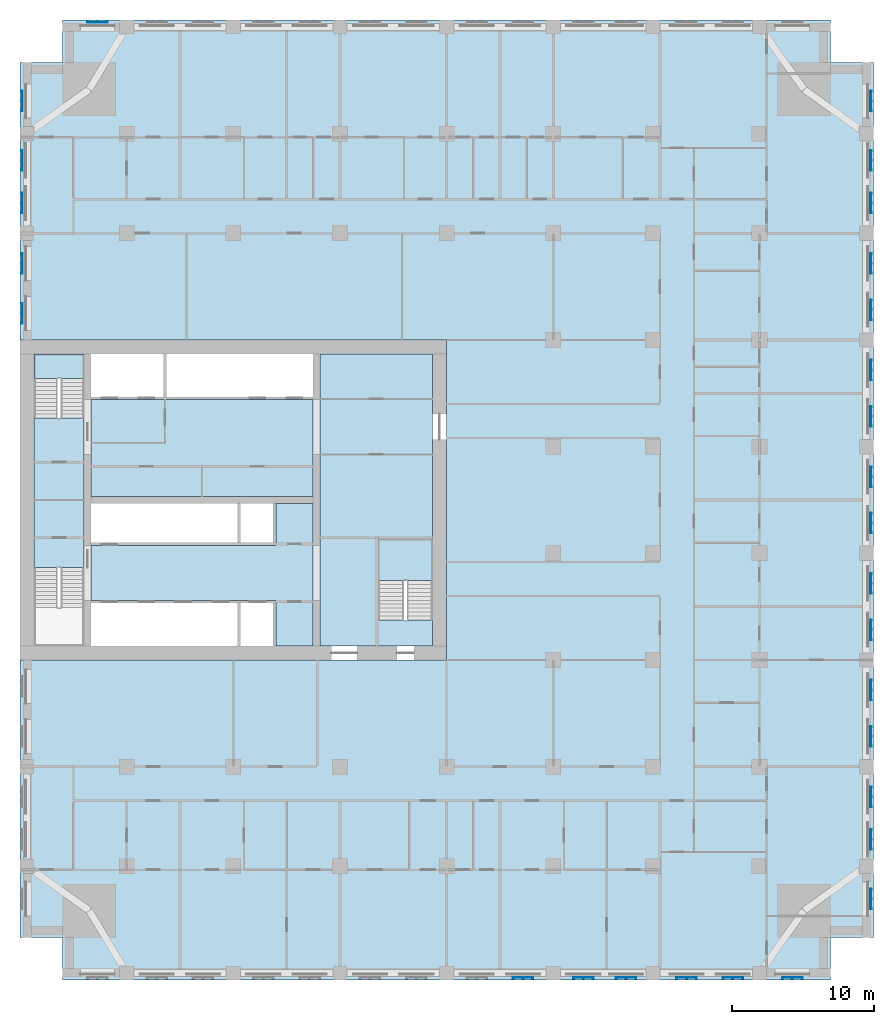
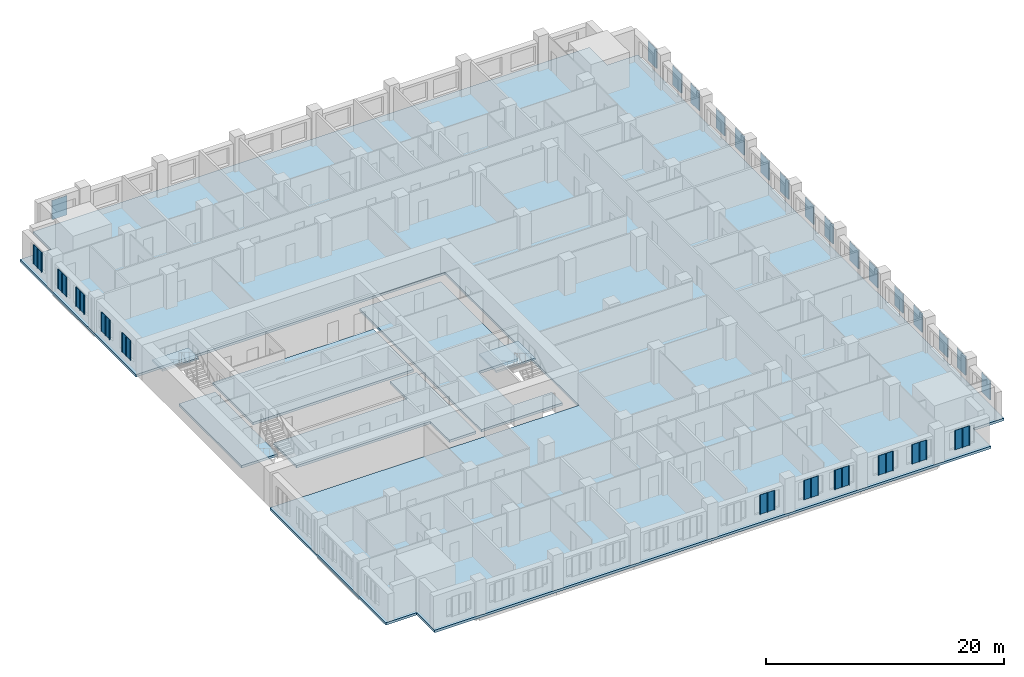
# One storey, part 2 of 14: 28 plates, 7 slabs, 2 elements without a shape of their own.
"""IFC4 building model written with IfcOpenShell, lengths in metres."""

from ifc_helpers import new_model, si_unit, direction, frame, origin, place, context, subcontext, project, spatial, polyline, outline, extrude, material, layer, layer_set, type_object, element, aggregate, save


model = new_model("IFC4")

# Units and contexts
model_context = context("Model", 3, precision=1e-05, world=origin(), true_north=direction((0.0, 1.0)))
body_context = subcontext(model_context, "Body", "Model", "MODEL_VIEW")
ifc_project = project(units=[si_unit("LENGTHUNIT", "METRE"), si_unit("AREAUNIT", "SQUARE_METRE"), si_unit("VOLUMEUNIT", "CUBIC_METRE"), si_unit("PLANEANGLEUNIT", "RADIAN"), si_unit("MASSUNIT", "GRAM", prefix="KILO")], contexts=[model_context])

# Site, building, storey
site_placement = place(None, origin())
site = spatial("IfcSite", under=ifc_project, at=site_placement, CompositionType="ELEMENT")
building_placement = place(site_placement, origin())
building = spatial("IfcBuilding", under=site, at=building_placement, Name="Tamorin Gate", CompositionType="ELEMENT")
storey_placement = place(building_placement, frame((0.0, 0.0, 107.89990234375)))
storey = spatial("IfcBuildingStorey", under=building, at=storey_placement, Name="L26", CompositionType="ELEMENT", Elevation=107.89990234375)

# Slabs
ifc_material_1 = material(Name="Concrete C40/50", Category="concrete")
ifc_layer_1 = layer(ifc_material_1, 0.25)
ifc_layer_set_1 = layer_set([ifc_layer_1], Name="Core floor slab 250 C40/50")
slab_type_1 = type_object("IfcSlabType", Name="Core floor slab 250 C40/50", PredefinedType="FLOOR", material=ifc_layer_set_1)
slab_1_placement = place(storey_placement, frame((0.0, 0.0, -0.25)))
element("IfcSlab", 1, at=slab_1_placement, inside=storey, type_object=slab_type_1, Name="Core floor L26", PredefinedType="FLOOR", context=body_context, shape_type="SweptSolid", body=[
    extrude(outline(polyline([(59.0, 62.800048828125), (59.0, 61.0), (51.10009765625, 61.0), (51.10009765625, 81.5), (59.0, 81.5), (59.0, 68.5), (55.199951171875, 68.5), (55.199951171875, 62.800048828125), (59.0, 62.800048828125)])), origin(), (0.0, 0.0, 1.0), 0.25),
])
slab_2_placement = place(storey_placement, frame((0.0, 0.0, -0.25)))
element("IfcSlab", 2, at=slab_2_placement, inside=storey, type_object=slab_type_1, Name="Core floor L26", PredefinedType="FLOOR", context=body_context, shape_type="SweptSolid", body=[
    extrude(outline(polyline([(50.60009765625, 61.0), (48.0, 61.0), (48.0, 64.199951171875), (35.0, 64.199951171875), (35.0, 68.050048828125), (48.0, 68.050048828125), (48.0, 71.0), (50.60009765625, 71.0), (50.60009765625, 61.0)])), origin(), (0.0, 0.0, 1.0), 0.25),
])
slab_3_placement = place(storey_placement, frame((0.0, 0.0, -0.25)))
element("IfcSlab", 3, at=slab_3_placement, inside=storey, type_object=slab_type_1, Name="Core floor L26", PredefinedType="FLOOR", context=body_context, shape_type="SweptSolid", body=[
    extrude(outline(polyline([(50.60009765625, 71.5), (35.0, 71.5), (35.0, 78.300048828125), (50.60009765625, 78.300048828125), (50.60009765625, 71.5)])), origin(), (0.0, 0.0, 1.0), 0.25),
])
slab_4_placement = place(storey_placement, frame((0.0, 0.0, -0.25)))
element("IfcSlab", 4, at=slab_4_placement, inside=storey, type_object=slab_type_1, Name="Core floor L26", PredefinedType="FLOOR", context=body_context, shape_type="SweptSolid", body=[
    extrude(outline(polyline([(31.0, 66.5), (31.0, 77.0), (34.5, 77.0), (34.5, 66.5), (31.0, 66.5)])), origin(), (0.0, 0.0, 1.0), 0.25),
])

# Stair, slab
stair_type = type_object("IfcStairType", Name="Exit stair", PredefinedType="HALF_TURN_STAIR", material=ifc_material_1)
stair_1_placement = place(storey_placement, origin())
stair_1 = element("IfcStair", 5, at=stair_1_placement, inside=storey, type_object=stair_type, Name="L26 stair ST2", PredefinedType="HALF_TURN_STAIR")
ifc_layer_2 = layer(ifc_material_1, 0.199951171875)
ifc_layer_set_2 = layer_set([ifc_layer_2], Name="Exit stair landing 200")
slab_type_2 = type_object("IfcSlabType", Name="Exit stair landing 200", PredefinedType="LANDING", material=ifc_layer_set_2)
slab_5_placement = place(storey_placement, frame((0.0, 0.0, 1.60009765625)))
slab_5 = element("IfcSlab", 6, at=slab_5_placement, type_object=slab_type_2, Name="ST2 landing 1", PredefinedType="LANDING", context=body_context, shape_type="SweptSolid", body=[
    extrude(outline(polyline([(34.5, 79.800048828125), (34.5, 81.5), (31.0, 81.5), (31.0, 79.800048828125), (34.5, 79.800048828125)])), origin(), (0.0, 0.0, 1.0), 0.199951171875),
])
aggregate(stair_1, [slab_5])

stair_2_placement = place(storey_placement, origin())
stair_2 = element("IfcStair", 7, at=stair_2_placement, inside=storey, type_object=stair_type, Name="L26 stair ST3", PredefinedType="HALF_TURN_STAIR")
slab_6_placement = place(storey_placement, frame((0.0, 0.0, 1.60009765625)))
slab_6 = element("IfcSlab", 8, at=slab_6_placement, type_object=slab_type_2, Name="ST3 landing 1", PredefinedType="LANDING", context=body_context, shape_type="SweptSolid", body=[
    extrude(outline(polyline([(59.0, 65.60009765625), (59.0, 68.5), (55.199951171875, 68.5), (55.199951171875, 65.60009765625), (59.0, 65.60009765625)])), origin(), (0.0, 0.0, 1.0), 0.199951171875),
])
aggregate(stair_2, [slab_6])

# Slab
ifc_layer_3 = layer(ifc_material_1, 0.25)
ifc_layer_set_3 = layer_set([ifc_layer_3], Name="Floor slab 250 C40/50")
slab_type_3 = type_object("IfcSlabType", Name="Floor slab 250 C40/50", PredefinedType="FLOOR", material=ifc_layer_set_3)
slab_7_placement = place(storey_placement, frame((0.0, 0.0, -0.25)))
element("IfcSlab", 9, at=slab_7_placement, inside=storey, type_object=slab_type_3, Name="Floor L26", PredefinedType="FLOOR", context=body_context, shape_type="SweptSolid", body=[
    extrude(outline(polyline([(30.0, 102.0), (33.0, 102.0), (33.0, 105.0), (87.0, 105.0), (87.0, 102.0), (90.0, 102.0), (90.0, 40.5), (87.0, 40.5), (87.0, 37.5), (33.0, 37.5), (33.0, 40.5), (30.0, 40.5), (30.0, 60.0), (60.0, 60.0), (60.0, 82.5), (30.0, 82.5), (30.0, 102.0)])), origin(), (0.0, 0.0, 1.0), 0.25),
])

# Plates
ifc_material_2 = material(Name="Perforated pale aluminium sheet", Category="aluminium")
ifc_layer_4 = layer(ifc_material_2, 0.0400390625)
ifc_layer_set_4 = layer_set([ifc_layer_4], Name="Pale metal solar screen 1440")
plate_type = type_object("IfcPlateType", Name="Pale metal solar screen 1440", PredefinedType="SHEET", material=ifc_layer_set_4)
plate_1_placement = place(storey_placement, frame((0.0, 0.0, 0.710205078125)))
element("IfcPlate", 10, at=plate_1_placement, inside=storey, type_object=plate_type, Name="Perforated solar screen", PredefinedType="SHEET", context=body_context, shape_type="SweptSolid", body=[
    extrude(outline(polyline([(64.655029296875, 37.659912109375), (64.655029296875, 37.699951171875), (64.715087890625, 37.699951171875), (65.344970703125, 37.699951171875), (65.405029296875, 37.699951171875), (66.034912109375, 37.699951171875), (66.094970703125, 37.699951171875), (66.094970703125, 37.659912109375), (66.094970703125, 37.60009765625), (66.034912109375, 37.60009765625), (66.034912109375, 37.659912109375), (65.405029296875, 37.659912109375), (65.405029296875, 37.60009765625), (65.344970703125, 37.60009765625), (65.344970703125, 37.659912109375), (64.715087890625, 37.659912109375), (64.715087890625, 37.60009765625), (64.655029296875, 37.60009765625), (64.655029296875, 37.659912109375)])), origin(), (0.0, 0.0, 1.0), 1.97998046875),
])
plate_2_placement = place(storey_placement, frame((0.0, 0.0, 0.710205078125)))
element("IfcPlate", 11, at=plate_2_placement, inside=storey, type_object=plate_type, Name="Perforated solar screen", PredefinedType="SHEET", context=body_context, shape_type="SweptSolid", body=[
    extrude(outline(polyline([(68.905029296875, 37.659912109375), (68.905029296875, 37.699951171875), (68.965087890625, 37.699951171875), (69.594970703125, 37.699951171875), (69.655029296875, 37.699951171875), (70.284912109375, 37.699951171875), (70.344970703125, 37.699951171875), (70.344970703125, 37.659912109375), (70.344970703125, 37.60009765625), (70.284912109375, 37.60009765625), (70.284912109375, 37.659912109375), (69.655029296875, 37.659912109375), (69.655029296875, 37.60009765625), (69.594970703125, 37.60009765625), (69.594970703125, 37.659912109375), (68.965087890625, 37.659912109375), (68.965087890625, 37.60009765625), (68.905029296875, 37.60009765625), (68.905029296875, 37.659912109375)])), origin(), (0.0, 0.0, 1.0), 1.97998046875),
])
plate_3_placement = place(storey_placement, frame((0.0, 0.0, 0.710205078125)))
element("IfcPlate", 12, at=plate_3_placement, inside=storey, type_object=plate_type, Name="Perforated solar screen", PredefinedType="SHEET", context=body_context, shape_type="SweptSolid", body=[
    extrude(outline(polyline([(71.905029296875, 37.659912109375), (71.905029296875, 37.699951171875), (71.965087890625, 37.699951171875), (72.594970703125, 37.699951171875), (72.655029296875, 37.699951171875), (73.284912109375, 37.699951171875), (73.344970703125, 37.699951171875), (73.344970703125, 37.659912109375), (73.344970703125, 37.60009765625), (73.284912109375, 37.60009765625), (73.284912109375, 37.659912109375), (72.655029296875, 37.659912109375), (72.655029296875, 37.60009765625), (72.594970703125, 37.60009765625), (72.594970703125, 37.659912109375), (71.965087890625, 37.659912109375), (71.965087890625, 37.60009765625), (71.905029296875, 37.60009765625), (71.905029296875, 37.659912109375)])), origin(), (0.0, 0.0, 1.0), 1.97998046875),
])
plate_4_placement = place(storey_placement, frame((0.0, 0.0, 0.710205078125)))
element("IfcPlate", 13, at=plate_4_placement, inside=storey, type_object=plate_type, Name="Perforated solar screen", PredefinedType="SHEET", context=body_context, shape_type="SweptSolid", body=[
    extrude(outline(polyline([(76.155029296875, 37.659912109375), (76.155029296875, 37.699951171875), (76.215087890625, 37.699951171875), (76.844970703125, 37.699951171875), (76.905029296875, 37.699951171875), (77.534912109375, 37.699951171875), (77.594970703125, 37.699951171875), (77.594970703125, 37.659912109375), (77.594970703125, 37.60009765625), (77.534912109375, 37.60009765625), (77.534912109375, 37.659912109375), (76.905029296875, 37.659912109375), (76.905029296875, 37.60009765625), (76.844970703125, 37.60009765625), (76.844970703125, 37.659912109375), (76.215087890625, 37.659912109375), (76.215087890625, 37.60009765625), (76.155029296875, 37.60009765625), (76.155029296875, 37.659912109375)])), origin(), (0.0, 0.0, 1.0), 1.97998046875),
])
plate_5_placement = place(storey_placement, frame((0.0, 0.0, 0.710205078125)))
element("IfcPlate", 14, at=plate_5_placement, inside=storey, type_object=plate_type, Name="Perforated solar screen", PredefinedType="SHEET", context=body_context, shape_type="SweptSolid", body=[
    extrude(outline(polyline([(79.405029296875, 37.659912109375), (79.405029296875, 37.699951171875), (79.465087890625, 37.699951171875), (80.094970703125, 37.699951171875), (80.155029296875, 37.699951171875), (80.784912109375, 37.699951171875), (80.844970703125, 37.699951171875), (80.844970703125, 37.659912109375), (80.844970703125, 37.60009765625), (80.784912109375, 37.60009765625), (80.784912109375, 37.659912109375), (80.155029296875, 37.659912109375), (80.155029296875, 37.60009765625), (80.094970703125, 37.60009765625), (80.094970703125, 37.659912109375), (79.465087890625, 37.659912109375), (79.465087890625, 37.60009765625), (79.405029296875, 37.60009765625), (79.405029296875, 37.659912109375)])), origin(), (0.0, 0.0, 1.0), 1.97998046875),
])
plate_6_placement = place(storey_placement, frame((0.0, 0.0, 0.710205078125)))
element("IfcPlate", 15, at=plate_6_placement, inside=storey, type_object=plate_type, Name="Perforated solar screen", PredefinedType="SHEET", context=body_context, shape_type="SweptSolid", body=[
    extrude(outline(polyline([(83.580078125, 37.659912109375), (83.580078125, 37.699951171875), (83.639892578125, 37.699951171875), (84.27001953125, 37.699951171875), (84.330078125, 37.699951171875), (84.9599609375, 37.699951171875), (85.02001953125, 37.699951171875), (85.02001953125, 37.659912109375), (85.02001953125, 37.60009765625), (84.9599609375, 37.60009765625), (84.9599609375, 37.659912109375), (84.330078125, 37.659912109375), (84.330078125, 37.60009765625), (84.27001953125, 37.60009765625), (84.27001953125, 37.659912109375), (83.639892578125, 37.659912109375), (83.639892578125, 37.60009765625), (83.580078125, 37.60009765625), (83.580078125, 37.659912109375)])), origin(), (0.0, 0.0, 1.0), 1.97998046875),
])
plate_7_placement = place(storey_placement, frame((0.0, 0.0, 0.710205078125)))
element("IfcPlate", 16, at=plate_7_placement, inside=storey, type_object=plate_type, Name="Perforated solar screen", PredefinedType="SHEET", context=body_context, shape_type="SweptSolid", body=[
    extrude(outline(polyline([(89.840087890625, 42.47998046875), (89.800048828125, 42.47998046875), (89.800048828125, 42.5400390625), (89.800048828125, 43.169921875), (89.800048828125, 43.22998046875), (89.800048828125, 43.860107421875), (89.800048828125, 43.919921875), (89.840087890625, 43.919921875), (89.89990234375, 43.919921875), (89.89990234375, 43.860107421875), (89.840087890625, 43.860107421875), (89.840087890625, 43.22998046875), (89.89990234375, 43.22998046875), (89.89990234375, 43.169921875), (89.840087890625, 43.169921875), (89.840087890625, 42.5400390625), (89.89990234375, 42.5400390625), (89.89990234375, 42.47998046875), (89.840087890625, 42.47998046875)])), origin(), (0.0, 0.0, 1.0), 1.97998046875),
])
plate_8_placement = place(storey_placement, frame((0.0, 0.0, 0.710205078125)))
element("IfcPlate", 17, at=plate_8_placement, inside=storey, type_object=plate_type, Name="Perforated solar screen", PredefinedType="SHEET", context=body_context, shape_type="SweptSolid", body=[
    extrude(outline(polyline([(89.840087890625, 46.655029296875), (89.800048828125, 46.655029296875), (89.800048828125, 46.715087890625), (89.800048828125, 47.344970703125), (89.800048828125, 47.405029296875), (89.800048828125, 48.034912109375), (89.800048828125, 48.094970703125), (89.800048828125, 48.094970703125), (89.840087890625, 48.094970703125), (89.840087890625, 48.094970703125), (89.89990234375, 48.094970703125), (89.89990234375, 48.034912109375), (89.840087890625, 48.034912109375), (89.840087890625, 47.405029296875), (89.89990234375, 47.405029296875), (89.89990234375, 47.344970703125), (89.840087890625, 47.344970703125), (89.840087890625, 46.715087890625), (89.89990234375, 46.715087890625), (89.89990234375, 46.655029296875), (89.840087890625, 46.655029296875)])), origin(), (0.0, 0.0, 1.0), 1.97998046875),
])
plate_9_placement = place(storey_placement, frame((0.0, 0.0, 0.710205078125)))
element("IfcPlate", 18, at=plate_9_placement, inside=storey, type_object=plate_type, Name="Perforated solar screen", PredefinedType="SHEET", context=body_context, shape_type="SweptSolid", body=[
    extrude(outline(polyline([(89.840087890625, 49.655029296875), (89.800048828125, 49.655029296875), (89.800048828125, 49.715087890625), (89.800048828125, 50.344970703125), (89.800048828125, 50.405029296875), (89.800048828125, 51.034912109375), (89.800048828125, 51.094970703125), (89.840087890625, 51.094970703125), (89.89990234375, 51.094970703125), (89.89990234375, 51.034912109375), (89.840087890625, 51.034912109375), (89.840087890625, 50.405029296875), (89.89990234375, 50.405029296875), (89.89990234375, 50.344970703125), (89.840087890625, 50.344970703125), (89.840087890625, 49.715087890625), (89.89990234375, 49.715087890625), (89.89990234375, 49.655029296875), (89.840087890625, 49.655029296875)])), origin(), (0.0, 0.0, 1.0), 1.97998046875),
])
plate_10_placement = place(storey_placement, frame((0.0, 0.0, 0.710205078125)))
element("IfcPlate", 19, at=plate_10_placement, inside=storey, type_object=plate_type, Name="Perforated solar screen", PredefinedType="SHEET", context=body_context, shape_type="SweptSolid", body=[
    extrude(outline(polyline([(89.840087890625, 53.905029296875), (89.800048828125, 53.905029296875), (89.800048828125, 53.965087890625), (89.800048828125, 54.594970703125), (89.800048828125, 54.655029296875), (89.800048828125, 55.284912109375), (89.800048828125, 55.344970703125), (89.840087890625, 55.344970703125), (89.89990234375, 55.344970703125), (89.89990234375, 55.284912109375), (89.840087890625, 55.284912109375), (89.840087890625, 54.655029296875), (89.89990234375, 54.655029296875), (89.89990234375, 54.594970703125), (89.840087890625, 54.594970703125), (89.840087890625, 53.965087890625), (89.89990234375, 53.965087890625), (89.89990234375, 53.905029296875), (89.840087890625, 53.905029296875)])), origin(), (0.0, 0.0, 1.0), 1.97998046875),
])
plate_11_placement = place(storey_placement, frame((0.0, 0.0, 0.710205078125)))
element("IfcPlate", 20, at=plate_11_placement, inside=storey, type_object=plate_type, Name="Perforated solar screen", PredefinedType="SHEET", context=body_context, shape_type="SweptSolid", body=[
    extrude(outline(polyline([(89.840087890625, 57.155029296875), (89.800048828125, 57.155029296875), (89.800048828125, 57.215087890625), (89.800048828125, 57.844970703125), (89.800048828125, 57.905029296875), (89.800048828125, 58.534912109375), (89.800048828125, 58.594970703125), (89.840087890625, 58.594970703125), (89.89990234375, 58.594970703125), (89.89990234375, 58.534912109375), (89.840087890625, 58.534912109375), (89.840087890625, 57.905029296875), (89.89990234375, 57.905029296875), (89.89990234375, 57.844970703125), (89.840087890625, 57.844970703125), (89.840087890625, 57.215087890625), (89.89990234375, 57.215087890625), (89.89990234375, 57.155029296875), (89.840087890625, 57.155029296875)])), origin(), (0.0, 0.0, 1.0), 1.97998046875),
])
plate_12_placement = place(storey_placement, frame((0.0, 0.0, 0.710205078125)))
element("IfcPlate", 21, at=plate_12_placement, inside=storey, type_object=plate_type, Name="Perforated solar screen", PredefinedType="SHEET", context=body_context, shape_type="SweptSolid", body=[
    extrude(outline(polyline([(89.840087890625, 61.405029296875), (89.800048828125, 61.405029296875), (89.800048828125, 61.465087890625), (89.800048828125, 62.094970703125), (89.800048828125, 62.155029296875), (89.800048828125, 62.784912109375), (89.800048828125, 62.844970703125), (89.840087890625, 62.844970703125), (89.89990234375, 62.844970703125), (89.89990234375, 62.784912109375), (89.840087890625, 62.784912109375), (89.840087890625, 62.155029296875), (89.89990234375, 62.155029296875), (89.89990234375, 62.094970703125), (89.840087890625, 62.094970703125), (89.840087890625, 61.465087890625), (89.89990234375, 61.465087890625), (89.89990234375, 61.405029296875), (89.840087890625, 61.405029296875)])), origin(), (0.0, 0.0, 1.0), 1.97998046875),
])
plate_13_placement = place(storey_placement, frame((0.0, 0.0, 0.710205078125)))
element("IfcPlate", 22, at=plate_13_placement, inside=storey, type_object=plate_type, Name="Perforated solar screen", PredefinedType="SHEET", context=body_context, shape_type="SweptSolid", body=[
    extrude(outline(polyline([(89.840087890625, 64.655029296875), (89.800048828125, 64.655029296875), (89.800048828125, 64.715087890625), (89.800048828125, 65.344970703125), (89.800048828125, 65.405029296875), (89.800048828125, 66.034912109375), (89.800048828125, 66.094970703125), (89.840087890625, 66.094970703125), (89.89990234375, 66.094970703125), (89.89990234375, 66.034912109375), (89.840087890625, 66.034912109375), (89.840087890625, 65.405029296875), (89.89990234375, 65.405029296875), (89.89990234375, 65.344970703125), (89.840087890625, 65.344970703125), (89.840087890625, 64.715087890625), (89.89990234375, 64.715087890625), (89.89990234375, 64.655029296875), (89.840087890625, 64.655029296875)])), origin(), (0.0, 0.0, 1.0), 1.97998046875),
])
plate_14_placement = place(storey_placement, frame((0.0, 0.0, 0.710205078125)))
element("IfcPlate", 23, at=plate_14_placement, inside=storey, type_object=plate_type, Name="Perforated solar screen", PredefinedType="SHEET", context=body_context, shape_type="SweptSolid", body=[
    extrude(outline(polyline([(89.840087890625, 68.905029296875), (89.800048828125, 68.905029296875), (89.800048828125, 68.965087890625), (89.800048828125, 69.594970703125), (89.800048828125, 69.655029296875), (89.800048828125, 70.284912109375), (89.800048828125, 70.344970703125), (89.840087890625, 70.344970703125), (89.89990234375, 70.344970703125), (89.89990234375, 70.284912109375), (89.840087890625, 70.284912109375), (89.840087890625, 69.655029296875), (89.89990234375, 69.655029296875), (89.89990234375, 69.594970703125), (89.840087890625, 69.594970703125), (89.840087890625, 68.965087890625), (89.89990234375, 68.965087890625), (89.89990234375, 68.905029296875), (89.840087890625, 68.905029296875)])), origin(), (0.0, 0.0, 1.0), 1.97998046875),
])
plate_15_placement = place(storey_placement, frame((0.0, 0.0, 0.710205078125)))
element("IfcPlate", 24, at=plate_15_placement, inside=storey, type_object=plate_type, Name="Perforated solar screen", PredefinedType="SHEET", context=body_context, shape_type="SweptSolid", body=[
    extrude(outline(polyline([(89.840087890625, 72.155029296875), (89.800048828125, 72.155029296875), (89.800048828125, 72.215087890625), (89.800048828125, 72.844970703125), (89.800048828125, 72.905029296875), (89.800048828125, 73.534912109375), (89.800048828125, 73.594970703125), (89.840087890625, 73.594970703125), (89.89990234375, 73.594970703125), (89.89990234375, 73.534912109375), (89.840087890625, 73.534912109375), (89.840087890625, 72.905029296875), (89.89990234375, 72.905029296875), (89.89990234375, 72.844970703125), (89.840087890625, 72.844970703125), (89.840087890625, 72.215087890625), (89.89990234375, 72.215087890625), (89.89990234375, 72.155029296875), (89.840087890625, 72.155029296875)])), origin(), (0.0, 0.0, 1.0), 1.97998046875),
])
plate_16_placement = place(storey_placement, frame((0.0, 0.0, 0.710205078125)))
element("IfcPlate", 25, at=plate_16_placement, inside=storey, type_object=plate_type, Name="Perforated solar screen", PredefinedType="SHEET", context=body_context, shape_type="SweptSolid", body=[
    extrude(outline(polyline([(89.840087890625, 76.405029296875), (89.800048828125, 76.405029296875), (89.800048828125, 76.465087890625), (89.800048828125, 77.094970703125), (89.800048828125, 77.155029296875), (89.800048828125, 77.784912109375), (89.800048828125, 77.844970703125), (89.840087890625, 77.844970703125), (89.89990234375, 77.844970703125), (89.89990234375, 77.784912109375), (89.840087890625, 77.784912109375), (89.840087890625, 77.155029296875), (89.89990234375, 77.155029296875), (89.89990234375, 77.094970703125), (89.840087890625, 77.094970703125), (89.840087890625, 76.465087890625), (89.89990234375, 76.465087890625), (89.89990234375, 76.405029296875), (89.840087890625, 76.405029296875)])), origin(), (0.0, 0.0, 1.0), 1.97998046875),
])
plate_17_placement = place(storey_placement, frame((0.0, 0.0, 0.710205078125)))
element("IfcPlate", 26, at=plate_17_placement, inside=storey, type_object=plate_type, Name="Perforated solar screen", PredefinedType="SHEET", context=body_context, shape_type="SweptSolid", body=[
    extrude(outline(polyline([(89.840087890625, 79.655029296875), (89.800048828125, 79.655029296875), (89.800048828125, 79.715087890625), (89.800048828125, 80.344970703125), (89.800048828125, 80.405029296875), (89.800048828125, 81.034912109375), (89.800048828125, 81.094970703125), (89.840087890625, 81.094970703125), (89.89990234375, 81.094970703125), (89.89990234375, 81.034912109375), (89.840087890625, 81.034912109375), (89.840087890625, 80.405029296875), (89.89990234375, 80.405029296875), (89.89990234375, 80.344970703125), (89.840087890625, 80.344970703125), (89.840087890625, 79.715087890625), (89.89990234375, 79.715087890625), (89.89990234375, 79.655029296875), (89.840087890625, 79.655029296875)])), origin(), (0.0, 0.0, 1.0), 1.97998046875),
])
plate_18_placement = place(storey_placement, frame((0.0, 0.0, 0.710205078125)))
element("IfcPlate", 27, at=plate_18_placement, inside=storey, type_object=plate_type, Name="Perforated solar screen", PredefinedType="SHEET", context=body_context, shape_type="SweptSolid", body=[
    extrude(outline(polyline([(89.840087890625, 83.905029296875), (89.800048828125, 83.905029296875), (89.800048828125, 83.965087890625), (89.800048828125, 84.594970703125), (89.800048828125, 84.655029296875), (89.800048828125, 85.284912109375), (89.800048828125, 85.344970703125), (89.840087890625, 85.344970703125), (89.89990234375, 85.344970703125), (89.89990234375, 85.284912109375), (89.840087890625, 85.284912109375), (89.840087890625, 84.655029296875), (89.89990234375, 84.655029296875), (89.89990234375, 84.594970703125), (89.840087890625, 84.594970703125), (89.840087890625, 83.965087890625), (89.89990234375, 83.965087890625), (89.89990234375, 83.905029296875), (89.840087890625, 83.905029296875)])), origin(), (0.0, 0.0, 1.0), 1.97998046875),
])
plate_19_placement = place(storey_placement, frame((0.0, 0.0, 0.710205078125)))
element("IfcPlate", 28, at=plate_19_placement, inside=storey, type_object=plate_type, Name="Perforated solar screen", PredefinedType="SHEET", context=body_context, shape_type="SweptSolid", body=[
    extrude(outline(polyline([(89.840087890625, 87.155029296875), (89.800048828125, 87.155029296875), (89.800048828125, 87.215087890625), (89.800048828125, 87.844970703125), (89.800048828125, 87.905029296875), (89.800048828125, 88.534912109375), (89.800048828125, 88.594970703125), (89.840087890625, 88.594970703125), (89.89990234375, 88.594970703125), (89.89990234375, 88.534912109375), (89.840087890625, 88.534912109375), (89.840087890625, 87.905029296875), (89.89990234375, 87.905029296875), (89.89990234375, 87.844970703125), (89.840087890625, 87.844970703125), (89.840087890625, 87.215087890625), (89.89990234375, 87.215087890625), (89.89990234375, 87.155029296875), (89.840087890625, 87.155029296875)])), origin(), (0.0, 0.0, 1.0), 1.97998046875),
])
plate_20_placement = place(storey_placement, frame((0.0, 0.0, 0.710205078125)))
element("IfcPlate", 29, at=plate_20_placement, inside=storey, type_object=plate_type, Name="Perforated solar screen", PredefinedType="SHEET", context=body_context, shape_type="SweptSolid", body=[
    extrude(outline(polyline([(89.840087890625, 91.405029296875), (89.800048828125, 91.405029296875), (89.800048828125, 91.465087890625), (89.800048828125, 92.094970703125), (89.800048828125, 92.155029296875), (89.800048828125, 92.784912109375), (89.800048828125, 92.844970703125), (89.840087890625, 92.844970703125), (89.89990234375, 92.844970703125), (89.89990234375, 92.784912109375), (89.840087890625, 92.784912109375), (89.840087890625, 92.155029296875), (89.89990234375, 92.155029296875), (89.89990234375, 92.094970703125), (89.840087890625, 92.094970703125), (89.840087890625, 91.465087890625), (89.89990234375, 91.465087890625), (89.89990234375, 91.405029296875), (89.840087890625, 91.405029296875)])), origin(), (0.0, 0.0, 1.0), 1.97998046875),
])
plate_21_placement = place(storey_placement, frame((0.0, 0.0, 0.710205078125)))
element("IfcPlate", 30, at=plate_21_placement, inside=storey, type_object=plate_type, Name="Perforated solar screen", PredefinedType="SHEET", context=body_context, shape_type="SweptSolid", body=[
    extrude(outline(polyline([(89.840087890625, 94.405029296875), (89.800048828125, 94.405029296875), (89.800048828125, 94.465087890625), (89.800048828125, 95.094970703125), (89.800048828125, 95.155029296875), (89.800048828125, 95.784912109375), (89.800048828125, 95.844970703125), (89.840087890625, 95.844970703125), (89.89990234375, 95.844970703125), (89.89990234375, 95.784912109375), (89.840087890625, 95.784912109375), (89.840087890625, 95.155029296875), (89.89990234375, 95.155029296875), (89.89990234375, 95.094970703125), (89.840087890625, 95.094970703125), (89.840087890625, 94.465087890625), (89.89990234375, 94.465087890625), (89.89990234375, 94.405029296875), (89.840087890625, 94.405029296875)])), origin(), (0.0, 0.0, 1.0), 1.97998046875),
])
plate_22_placement = place(storey_placement, frame((0.0, 0.0, 0.710205078125)))
element("IfcPlate", 31, at=plate_22_placement, inside=storey, type_object=plate_type, Name="Perforated solar screen", PredefinedType="SHEET", context=body_context, shape_type="SweptSolid", body=[
    extrude(outline(polyline([(89.840087890625, 98.580078125), (89.800048828125, 98.580078125), (89.800048828125, 98.639892578125), (89.800048828125, 99.27001953125), (89.800048828125, 99.330078125), (89.800048828125, 99.9599609375), (89.800048828125, 100.02001953125), (89.840087890625, 100.02001953125), (89.89990234375, 100.02001953125), (89.89990234375, 99.9599609375), (89.840087890625, 99.9599609375), (89.840087890625, 99.330078125), (89.89990234375, 99.330078125), (89.89990234375, 99.27001953125), (89.840087890625, 99.27001953125), (89.840087890625, 98.639892578125), (89.89990234375, 98.639892578125), (89.89990234375, 98.580078125), (89.840087890625, 98.580078125)])), origin(), (0.0, 0.0, 1.0), 1.97998046875),
])
plate_23_placement = place(storey_placement, frame((0.0, 0.0, 0.710205078125)))
element("IfcPlate", 32, at=plate_23_placement, inside=storey, type_object=plate_type, Name="Perforated solar screen", PredefinedType="SHEET", context=body_context, shape_type="SweptSolid", body=[
    extrude(outline(polyline([(36.169921875, 104.840087890625), (36.169921875, 104.800048828125), (36.110107421875, 104.800048828125), (35.47998046875, 104.800048828125), (35.419921875, 104.800048828125), (34.7900390625, 104.800048828125), (34.72998046875, 104.800048828125), (34.72998046875, 104.840087890625), (34.72998046875, 104.89990234375), (34.7900390625, 104.89990234375), (34.7900390625, 104.840087890625), (35.419921875, 104.840087890625), (35.419921875, 104.89990234375), (35.47998046875, 104.89990234375), (35.47998046875, 104.840087890625), (36.110107421875, 104.840087890625), (36.110107421875, 104.89990234375), (36.169921875, 104.89990234375), (36.169921875, 104.840087890625)])), origin(), (0.0, 0.0, 1.0), 1.97998046875),
])
plate_24_placement = place(storey_placement, frame((0.0, 0.0, 0.710205078125)))
element("IfcPlate", 33, at=plate_24_placement, inside=storey, type_object=plate_type, Name="Perforated solar screen", PredefinedType="SHEET", context=body_context, shape_type="SweptSolid", body=[
    extrude(outline(polyline([(30.159912109375, 100.02001953125), (30.199951171875, 100.02001953125), (30.199951171875, 99.9599609375), (30.199951171875, 99.330078125), (30.199951171875, 99.27001953125), (30.199951171875, 98.639892578125), (30.199951171875, 98.580078125), (30.159912109375, 98.580078125), (30.10009765625, 98.580078125), (30.10009765625, 98.639892578125), (30.159912109375, 98.639892578125), (30.159912109375, 99.27001953125), (30.10009765625, 99.27001953125), (30.10009765625, 99.330078125), (30.159912109375, 99.330078125), (30.159912109375, 99.9599609375), (30.10009765625, 99.9599609375), (30.10009765625, 100.02001953125), (30.159912109375, 100.02001953125)])), origin(), (0.0, 0.0, 1.0), 1.97998046875),
])
plate_25_placement = place(storey_placement, frame((0.0, 0.0, 0.710205078125)))
element("IfcPlate", 34, at=plate_25_placement, inside=storey, type_object=plate_type, Name="Perforated solar screen", PredefinedType="SHEET", context=body_context, shape_type="SweptSolid", body=[
    extrude(outline(polyline([(30.159912109375, 92.844970703125), (30.199951171875, 92.844970703125), (30.199951171875, 92.784912109375), (30.199951171875, 92.155029296875), (30.199951171875, 92.094970703125), (30.199951171875, 91.465087890625), (30.199951171875, 91.405029296875), (30.159912109375, 91.405029296875), (30.10009765625, 91.405029296875), (30.10009765625, 91.465087890625), (30.159912109375, 91.465087890625), (30.159912109375, 92.094970703125), (30.10009765625, 92.094970703125), (30.10009765625, 92.155029296875), (30.159912109375, 92.155029296875), (30.159912109375, 92.784912109375), (30.10009765625, 92.784912109375), (30.10009765625, 92.844970703125), (30.159912109375, 92.844970703125)])), origin(), (0.0, 0.0, 1.0), 1.97998046875),
])
plate_26_placement = place(storey_placement, frame((0.0, 0.0, 0.710205078125)))
element("IfcPlate", 35, at=plate_26_placement, inside=storey, type_object=plate_type, Name="Perforated solar screen", PredefinedType="SHEET", context=body_context, shape_type="SweptSolid", body=[
    extrude(outline(polyline([(30.159912109375, 95.844970703125), (30.199951171875, 95.844970703125), (30.199951171875, 95.784912109375), (30.199951171875, 95.155029296875), (30.199951171875, 95.094970703125), (30.199951171875, 94.465087890625), (30.199951171875, 94.405029296875), (30.199951171875, 94.405029296875), (30.159912109375, 94.405029296875), (30.159912109375, 94.405029296875), (30.10009765625, 94.405029296875), (30.10009765625, 94.465087890625), (30.159912109375, 94.465087890625), (30.159912109375, 95.094970703125), (30.10009765625, 95.094970703125), (30.10009765625, 95.155029296875), (30.159912109375, 95.155029296875), (30.159912109375, 95.784912109375), (30.10009765625, 95.784912109375), (30.10009765625, 95.844970703125), (30.159912109375, 95.844970703125)])), origin(), (0.0, 0.0, 1.0), 1.97998046875),
])
plate_27_placement = place(storey_placement, frame((0.0, 0.0, 0.710205078125)))
element("IfcPlate", 36, at=plate_27_placement, inside=storey, type_object=plate_type, Name="Perforated solar screen", PredefinedType="SHEET", context=body_context, shape_type="SweptSolid", body=[
    extrude(outline(polyline([(30.159912109375, 85.094970703125), (30.199951171875, 85.094970703125), (30.199951171875, 85.034912109375), (30.199951171875, 84.405029296875), (30.199951171875, 84.344970703125), (30.199951171875, 83.715087890625), (30.199951171875, 83.655029296875), (30.159912109375, 83.655029296875), (30.10009765625, 83.655029296875), (30.10009765625, 83.715087890625), (30.159912109375, 83.715087890625), (30.159912109375, 84.344970703125), (30.10009765625, 84.344970703125), (30.10009765625, 84.405029296875), (30.159912109375, 84.405029296875), (30.159912109375, 85.034912109375), (30.10009765625, 85.034912109375), (30.10009765625, 85.094970703125), (30.159912109375, 85.094970703125)])), origin(), (0.0, 0.0, 1.0), 1.97998046875),
])
plate_28_placement = place(storey_placement, frame((0.0, 0.0, 0.710205078125)))
element("IfcPlate", 37, at=plate_28_placement, inside=storey, type_object=plate_type, Name="Perforated solar screen", PredefinedType="SHEET", context=body_context, shape_type="SweptSolid", body=[
    extrude(outline(polyline([(30.159912109375, 88.594970703125), (30.199951171875, 88.594970703125), (30.199951171875, 88.534912109375), (30.199951171875, 87.905029296875), (30.199951171875, 87.844970703125), (30.199951171875, 87.215087890625), (30.199951171875, 87.155029296875), (30.159912109375, 87.155029296875), (30.10009765625, 87.155029296875), (30.10009765625, 87.215087890625), (30.159912109375, 87.215087890625), (30.159912109375, 87.844970703125), (30.10009765625, 87.844970703125), (30.10009765625, 87.905029296875), (30.159912109375, 87.905029296875), (30.159912109375, 88.534912109375), (30.10009765625, 88.534912109375), (30.10009765625, 88.594970703125), (30.159912109375, 88.594970703125)])), origin(), (0.0, 0.0, 1.0), 1.97998046875),
])

save(model, "model.ifc")
